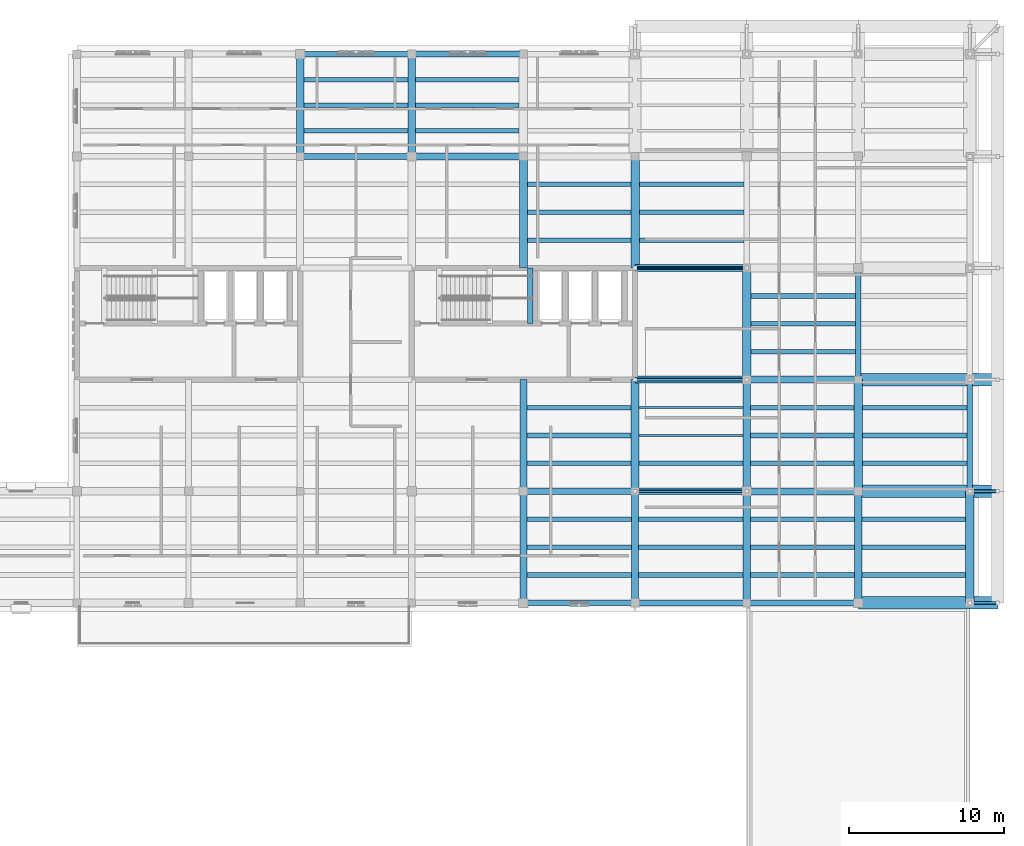
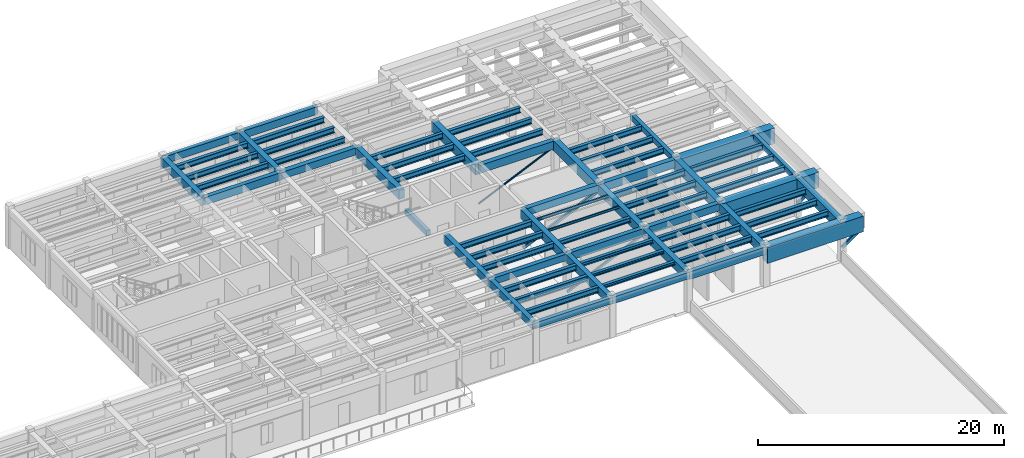
# One storey, part 3 of 22: 72 beams, 5 members.
"""IFC4 building model written with IfcOpenShell, lengths in metres."""

from ifc_helpers import new_model, si_unit, direction, frame, origin, origin_2d, place, context, subcontext, project, spatial, rectangle, hollow_rectangle, hollow_circle, i_section, extrude, material, material_profile, profile_set, type_object, element, save


model = new_model("IFC4")

# Units and contexts
model_context = context("Model", 3, precision=1e-05, world=origin(), true_north=direction((0.0, 1.0)))
body_context = subcontext(model_context, "Body", "Model", "MODEL_VIEW")
ifc_project = project(units=[si_unit("LENGTHUNIT", "METRE"), si_unit("AREAUNIT", "SQUARE_METRE"), si_unit("VOLUMEUNIT", "CUBIC_METRE"), si_unit("PLANEANGLEUNIT", "RADIAN"), si_unit("MASSUNIT", "GRAM", prefix="KILO")], contexts=[model_context])

# Site, building, storey
site_placement = place(None, origin())
site = spatial("IfcSite", under=ifc_project, at=site_placement, CompositionType="ELEMENT")
building_placement = place(site_placement, origin())
building = spatial("IfcBuilding", under=site, at=building_placement, Name="Mithqara Police Headquarters", CompositionType="ELEMENT")
storey_placement = place(building_placement, frame((0.0, 0.0, 22.199951171875)))
storey = spatial("IfcBuildingStorey", under=building, at=storey_placement, Name="L05", CompositionType="ELEMENT", Elevation=22.199951171875)

# Beams
ifc_material_1 = material(Name="Steel S355JR", Category="steel")
ifc_material_profile_1 = material_profile(ifc_material_1, i_section(OverallWidth=0.300048828125, OverallDepth=0.300048828125, WebThickness=0.010986328125, FlangeThickness=0.01904296875, FilletRadius=0.027099609375, at=origin_2d()), Name="HEB 300")
ifc_profile_set_1 = profile_set([ifc_material_profile_1], Name="Steel S355JR")
beam_type_1 = type_object("IfcBeamType", Name="BEAM HEB300", PredefinedType="BEAM", material=ifc_profile_set_1)
beam_1_placement = place(storey_placement, frame((144.824951171875, 82.199951171875, 3.77001953125), z_axis=(1.0, 0.0, 0.0), x_axis=(0.0, 1.0, 0.0)))
element("IfcBeam", 1, at=beam_1_placement, inside=storey, type_object=beam_type_1, Name="L05 Composite Steel Joist 21-22/M.2", PredefinedType="BEAM", context=body_context, shape_type="SweptSolid", body=[
    extrude(i_section(OverallWidth=0.300048828125, OverallDepth=0.300048828125, WebThickness=0.010986328125, FlangeThickness=0.01904296875, FilletRadius=0.027099609375, at=origin_2d()), origin(), (0.0, 0.0, 1.0), 6.72509765625),
])
ifc_material_profile_2 = material_profile(ifc_material_1, i_section(OverallWidth=0.300048828125, OverallDepth=0.360107421875, WebThickness=0.012451171875, FlangeThickness=0.0224609375, FilletRadius=0.027099609375, at=origin_2d()), Name="HEB 360")
ifc_profile_set_2 = profile_set([ifc_material_profile_2], Name="Steel S355JR")
beam_type_2 = type_object("IfcBeamType", Name="BEAM HEB360", PredefinedType="BEAM", material=ifc_profile_set_2)
beam_2_placement = place(storey_placement, frame((144.824951171875, 84.0, 3.739990234375), z_axis=(1.0, 0.0, 0.0), x_axis=(0.0, 1.0, 0.0)))
element("IfcBeam", 2, at=beam_2_placement, inside=storey, type_object=beam_type_2, Name="L05 Composite Steel Joist 21-22/M.3", PredefinedType="BEAM", context=body_context, shape_type="SweptSolid", body=[
    extrude(i_section(OverallWidth=0.300048828125, OverallDepth=0.360107421875, WebThickness=0.012451171875, FlangeThickness=0.0224609375, FilletRadius=0.027099609375, at=origin_2d()), origin(), (0.0, 0.0, 1.0), 6.72509765625),
])
ifc_material_profile_3 = material_profile(ifc_material_1, i_section(OverallWidth=0.300048828125, OverallDepth=0.449951171875, WebThickness=0.013916015625, FlangeThickness=0.02587890625, FilletRadius=0.027099609375, at=origin_2d()), Name="HEB 450")
ifc_profile_set_3 = profile_set([ifc_material_profile_3], Name="Steel S355JR")
beam_type_3 = type_object("IfcBeamType", Name="BEAM HEB450", PredefinedType="BEAM", material=ifc_profile_set_3)
beam_3_placement = place(storey_placement, frame((144.85009765625, 87.60009765625, 3.695068359375), z_axis=(1.0, 0.0, 0.0), x_axis=(0.0, 1.0, 0.0)))
element("IfcBeam", 3, at=beam_3_placement, inside=storey, type_object=beam_type_3, Name="L05 Composite Steel Joist 21-22/N.1", PredefinedType="BEAM", context=body_context, shape_type="SweptSolid", body=[
    extrude(i_section(OverallWidth=0.300048828125, OverallDepth=0.449951171875, WebThickness=0.013916015625, FlangeThickness=0.02587890625, FilletRadius=0.027099609375, at=origin_2d()), origin(), (0.0, 0.0, 1.0), 6.699951171875),
])
ifc_material_profile_4 = material_profile(ifc_material_1, i_section(OverallWidth=0.300048828125, OverallDepth=0.550048828125, WebThickness=0.014892578125, FlangeThickness=0.029052734375, FilletRadius=0.027099609375, at=origin_2d()), Name="HEB 550")
ifc_profile_set_4 = profile_set([ifc_material_profile_4], Name="Steel S355JR")
beam_type_4 = type_object("IfcBeamType", Name="BEAM HEB550", PredefinedType="BEAM", material=ifc_profile_set_4)
for number, where, z_axis, x_axis, name in (
    (4, (123.25, 109.050048828125, 3.64501953125), (1.0, 0.0, 0.0), (0.0, 1.0, 0.0), "L05 Composite Steel Joist 18-19/R.1"),
    (5, (123.25, 110.699951171875, 3.64501953125), (1.0, 0.0, 0.0), (0.0, 1.0, 0.0), "L05 Composite Steel Joist 18-19/R.2"),
    (6, (123.25, 112.35009765625, 3.64501953125), (1.0, 0.0, 0.0), (0.0, 1.0, 0.0), "L05 Composite Steel Joist 18-19/R.3"),
):
    element("IfcBeam", number, at=place(storey_placement, frame(where, z_axis=z_axis, x_axis=x_axis)), inside=storey, type_object=beam_type_4, Name=name, PredefinedType="BEAM", context=body_context, shape_type="SweptSolid", body=[
        extrude(i_section(OverallWidth=0.300048828125, OverallDepth=0.550048828125, WebThickness=0.014892578125, FlangeThickness=0.029052734375, FilletRadius=0.027099609375, at=origin_2d()), origin(), (0.0, 0.0, 1.0), 6.699951171875),
    ])
for number, where, z_axis, x_axis, name in (
    (7, (130.449951171875, 109.050048828125, 3.64501953125), (1.0, 0.0, 0.0), (0.0, 1.0, 0.0), "L05 Composite Steel Joist 19-20/R.1"),
    (8, (130.449951171875, 110.699951171875, 3.64501953125), (1.0, 0.0, 0.0), (0.0, 1.0, 0.0), "L05 Composite Steel Joist 19-20/R.2"),
    (9, (130.449951171875, 112.35009765625, 3.64501953125), (1.0, 0.0, 0.0), (0.0, 1.0, 0.0), "L05 Composite Steel Joist 19-20/R.3"),
):
    element("IfcBeam", number, at=place(storey_placement, frame(where, z_axis=z_axis, x_axis=x_axis)), inside=storey, type_object=beam_type_4, Name=name, PredefinedType="BEAM", context=body_context, shape_type="SweptSolid", body=[
        extrude(i_section(OverallWidth=0.300048828125, OverallDepth=0.550048828125, WebThickness=0.014892578125, FlangeThickness=0.029052734375, FilletRadius=0.027099609375, at=origin_2d()), origin(), (0.0, 0.0, 1.0), 6.675048828125),
    ])
for number, where, z_axis, x_axis, name in (
    (10, (137.625, 80.39990234375, 3.64501953125), (1.0, 0.0, 0.0), (0.0, 1.0, 0.0), "L05 Composite Steel Joist 20-21/M.1"),
    (11, (137.625, 82.199951171875, 3.64501953125), (1.0, 0.0, 0.0), (0.0, 1.0, 0.0), "L05 Composite Steel Joist 20-21/M.2"),
    (12, (137.625, 84.0, 3.64501953125), (1.0, 0.0, 0.0), (0.0, 1.0, 0.0), "L05 Composite Steel Joist 20-21/M.3"),
):
    element("IfcBeam", number, at=place(storey_placement, frame(where, z_axis=z_axis, x_axis=x_axis)), inside=storey, type_object=beam_type_4, Name=name, PredefinedType="BEAM", context=body_context, shape_type="SweptSolid", body=[
        extrude(i_section(OverallWidth=0.300048828125, OverallDepth=0.550048828125, WebThickness=0.014892578125, FlangeThickness=0.029052734375, FilletRadius=0.027099609375, at=origin_2d()), origin(), (0.0, 0.0, 1.0), 6.75),
    ])
for number, where, z_axis, x_axis, name in (
    (13, (137.625, 87.60009765625, 3.64501953125), (1.0, 0.0, 0.0), (0.0, 1.0, 0.0), "L05 Composite Steel Joist 20-21/N.1"),
    (14, (137.625, 89.39990234375, 3.64501953125), (1.0, 0.0, 0.0), (0.0, 1.0, 0.0), "L05 Composite Steel Joist 20-21/N.2"),
    (15, (137.625, 91.199951171875, 3.64501953125), (1.0, 0.0, 0.0), (0.0, 1.0, 0.0), "L05 Composite Steel Joist 20-21/N.3"),
):
    element("IfcBeam", number, at=place(storey_placement, frame(where, z_axis=z_axis, x_axis=x_axis)), inside=storey, type_object=beam_type_4, Name=name, PredefinedType="BEAM", context=body_context, shape_type="SweptSolid", body=[
        extrude(i_section(OverallWidth=0.300048828125, OverallDepth=0.550048828125, WebThickness=0.014892578125, FlangeThickness=0.029052734375, FilletRadius=0.027099609375, at=origin_2d()), origin(), (0.0, 0.0, 1.0), 6.72509765625),
    ])
for number, where, z_axis, x_axis, name in (
    (16, (137.64990234375, 102.0, 3.64501953125), (1.0, 0.0, 0.0), (0.0, 1.0, 0.0), "L05 Composite Steel Joist 20-21/Q.1"),
    (17, (137.64990234375, 103.800048828125, 3.64501953125), (1.0, 0.0, 0.0), (0.0, 1.0, 0.0), "L05 Composite Steel Joist 20-21/Q.2"),
    (18, (137.64990234375, 105.60009765625, 3.64501953125), (1.0, 0.0, 0.0), (0.0, 1.0, 0.0), "L05 Composite Steel Joist 20-21/Q.3"),
):
    element("IfcBeam", number, at=place(storey_placement, frame(where, z_axis=z_axis, x_axis=x_axis)), inside=storey, type_object=beam_type_4, Name=name, PredefinedType="BEAM", context=body_context, shape_type="SweptSolid", body=[
        extrude(i_section(OverallWidth=0.300048828125, OverallDepth=0.550048828125, WebThickness=0.014892578125, FlangeThickness=0.029052734375, FilletRadius=0.027099609375, at=origin_2d()), origin(), (0.0, 0.0, 1.0), 6.675048828125),
    ])
for number, where, z_axis, x_axis, name in (
    (19, (144.875, 102.0, 3.64501953125), (1.0, 0.0, 0.0), (0.0, 1.0, 0.0), "L05 Composite Steel Joist 21-22/Q.1"),
    (20, (144.875, 103.800048828125, 3.64501953125), (1.0, 0.0, 0.0), (0.0, 1.0, 0.0), "L05 Composite Steel Joist 21-22/Q.2"),
    (21, (144.875, 105.60009765625, 3.64501953125), (1.0, 0.0, 0.0), (0.0, 1.0, 0.0), "L05 Composite Steel Joist 21-22/Q.3"),
):
    element("IfcBeam", number, at=place(storey_placement, frame(where, z_axis=z_axis, x_axis=x_axis)), inside=storey, type_object=beam_type_4, Name=name, PredefinedType="BEAM", context=body_context, shape_type="SweptSolid", body=[
        extrude(i_section(OverallWidth=0.300048828125, OverallDepth=0.550048828125, WebThickness=0.014892578125, FlangeThickness=0.029052734375, FilletRadius=0.027099609375, at=origin_2d()), origin(), (0.0, 0.0, 1.0), 6.75),
    ])
for number, where, z_axis, x_axis, name in (
    (22, (152.050048828125, 80.39990234375, 3.64501953125), (1.0, 0.0, 0.0), (0.0, 1.0, 0.0), "L05 Composite Steel Joist 22-23/M.1"),
    (23, (152.050048828125, 82.199951171875, 3.64501953125), (1.0, 0.0, 0.0), (0.0, 1.0, 0.0), "L05 Composite Steel Joist 22-23/M.2"),
    (24, (152.050048828125, 84.0, 3.64501953125), (1.0, 0.0, 0.0), (0.0, 1.0, 0.0), "L05 Composite Steel Joist 22-23/M.3"),
):
    element("IfcBeam", number, at=place(storey_placement, frame(where, z_axis=z_axis, x_axis=x_axis)), inside=storey, type_object=beam_type_4, Name=name, PredefinedType="BEAM", context=body_context, shape_type="SweptSolid", body=[
        extrude(i_section(OverallWidth=0.300048828125, OverallDepth=0.550048828125, WebThickness=0.014892578125, FlangeThickness=0.029052734375, FilletRadius=0.027099609375, at=origin_2d()), origin(), (0.0, 0.0, 1.0), 6.699951171875),
    ])
for number, where, z_axis, x_axis, name in (
    (25, (152.050048828125, 87.60009765625, 3.64501953125), (1.0, 0.0, 0.0), (0.0, 1.0, 0.0), "L05 Composite Steel Joist 22-23/N.1"),
    (26, (152.050048828125, 89.39990234375, 3.64501953125), (1.0, 0.0, 0.0), (0.0, 1.0, 0.0), "L05 Composite Steel Joist 22-23/N.2"),
    (27, (152.050048828125, 91.199951171875, 3.64501953125), (1.0, 0.0, 0.0), (0.0, 1.0, 0.0), "L05 Composite Steel Joist 22-23/N.3"),
):
    element("IfcBeam", number, at=place(storey_placement, frame(where, z_axis=z_axis, x_axis=x_axis)), inside=storey, type_object=beam_type_4, Name=name, PredefinedType="BEAM", context=body_context, shape_type="SweptSolid", body=[
        extrude(i_section(OverallWidth=0.300048828125, OverallDepth=0.550048828125, WebThickness=0.014892578125, FlangeThickness=0.029052734375, FilletRadius=0.027099609375, at=origin_2d()), origin(), (0.0, 0.0, 1.0), 6.675048828125),
    ])
for number, where, z_axis, x_axis, name in (
    (28, (152.074951171875, 94.800048828125, 3.64501953125), (1.0, 0.0, 0.0), (0.0, 1.0, 0.0), "L05 Composite Steel Joist 22-23/P.1"),
    (29, (152.074951171875, 96.60009765625, 3.64501953125), (1.0, 0.0, 0.0), (0.0, 1.0, 0.0), "L05 Composite Steel Joist 22-23/P.2"),
    (30, (152.074951171875, 98.39990234375, 3.64501953125), (1.0, 0.0, 0.0), (0.0, 1.0, 0.0), "L05 Composite Steel Joist 22-23/P.3"),
):
    element("IfcBeam", number, at=place(storey_placement, frame(where, z_axis=z_axis, x_axis=x_axis)), inside=storey, type_object=beam_type_4, Name=name, PredefinedType="BEAM", context=body_context, shape_type="SweptSolid", body=[
        extrude(i_section(OverallWidth=0.300048828125, OverallDepth=0.550048828125, WebThickness=0.014892578125, FlangeThickness=0.029052734375, FilletRadius=0.027099609375, at=origin_2d()), origin(), (0.0, 0.0, 1.0), 6.75),
    ])
for number, where, z_axis, x_axis, name in (
    (31, (159.25, 80.39990234375, 3.64501953125), (1.0, 0.0, 0.0), (0.0, 1.0, 0.0), "L05 Composite Steel Joist 23-24/M.1"),
    (32, (159.25, 82.199951171875, 3.64501953125), (1.0, 0.0, 0.0), (0.0, 1.0, 0.0), "L05 Composite Steel Joist 23-24/M.2"),
    (33, (159.25, 84.0, 3.64501953125), (1.0, 0.0, 0.0), (0.0, 1.0, 0.0), "L05 Composite Steel Joist 23-24/M.3"),
):
    element("IfcBeam", number, at=place(storey_placement, frame(where, z_axis=z_axis, x_axis=x_axis)), inside=storey, type_object=beam_type_4, Name=name, PredefinedType="BEAM", context=body_context, shape_type="SweptSolid", body=[
        extrude(i_section(OverallWidth=0.300048828125, OverallDepth=0.550048828125, WebThickness=0.014892578125, FlangeThickness=0.029052734375, FilletRadius=0.027099609375, at=origin_2d()), origin(), (0.0, 0.0, 1.0), 6.675048828125),
    ])
for number, where, z_axis, x_axis, name in (
    (34, (159.27490234375, 87.60009765625, 3.64501953125), (1.0, 0.0, 0.0), (0.0, 1.0, 0.0), "L05 Composite Steel Joist 23-24/N.1"),
    (35, (159.27490234375, 89.39990234375, 3.64501953125), (1.0, 0.0, 0.0), (0.0, 1.0, 0.0), "L05 Composite Steel Joist 23-24/N.2"),
    (36, (159.27490234375, 91.199951171875, 3.64501953125), (1.0, 0.0, 0.0), (0.0, 1.0, 0.0), "L05 Composite Steel Joist 23-24/N.3"),
):
    element("IfcBeam", number, at=place(storey_placement, frame(where, z_axis=z_axis, x_axis=x_axis)), inside=storey, type_object=beam_type_4, Name=name, PredefinedType="BEAM", context=body_context, shape_type="SweptSolid", body=[
        extrude(i_section(OverallWidth=0.300048828125, OverallDepth=0.550048828125, WebThickness=0.014892578125, FlangeThickness=0.029052734375, FilletRadius=0.027099609375, at=origin_2d()), origin(), (0.0, 0.0, 1.0), 6.75),
    ])
ifc_material_2 = material(Name="Concrete C40/50", Category="concrete")
ifc_material_profile_5 = material_profile(ifc_material_2, rectangle(XDim=0.35009765625, YDim=0.550048828125, at=origin_2d()), Name="RC 350x550")
ifc_profile_set_5 = profile_set([ifc_material_profile_5], Name="Concrete C40/50")
beam_type_5 = type_object("IfcBeamType", Name="BEAM RC350X550", PredefinedType="BEAM", material=ifc_profile_set_5)
for number, where, z_axis, x_axis, name in (
    (37, (159.0, 93.0, 3.64501953125), (0.0, 1.0, 0.0), (-1.0, 0.0, 0.0), "L05 Girder 23/P-Q"),
    (38, (166.199951171875, 85.800048828125, 3.64501953125), (0.0, 1.0, 0.0), (-1.0, 0.0, 0.0), "L05 Girder 24/N-P"),
):
    element("IfcBeam", number, at=place(storey_placement, frame(where, z_axis=z_axis, x_axis=x_axis)), inside=storey, type_object=beam_type_5, Name=name, PredefinedType="BEAM", context=body_context, shape_type="SweptSolid", body=[
        extrude(rectangle(XDim=0.35009765625, YDim=0.550048828125, at=origin_2d()), origin(), (0.0, 0.0, 1.0), 7.199951171875),
    ])
beam_4_placement = place(storey_placement, frame((137.85009765625, 96.6201171875, 1.635009765625), z_axis=(0.0, 1.0, 0.0), x_axis=(-1.0, 0.0, 0.0)))
element("IfcBeam", 39, at=beam_4_placement, inside=storey, type_object=beam_type_5, Name="L05 ST-02 Half-Landing Bearer LB", PredefinedType="BEAM", context=body_context, shape_type="SweptSolid", body=[
    extrude(rectangle(XDim=0.35009765625, YDim=0.550048828125, at=origin_2d()), origin(), (0.0, 0.0, 1.0), 3.579833984375),
])
ifc_material_profile_6 = material_profile(ifc_material_2, rectangle(XDim=0.35009765625, YDim=0.60009765625, at=origin_2d()), Name="RC 350x600")
ifc_profile_set_6 = profile_set([ifc_material_profile_6], Name="Concrete C40/50")
beam_type_6 = type_object("IfcBeamType", Name="BEAM RC350X600", PredefinedType="BEAM", material=ifc_profile_set_6)
beam_5_placement = place(storey_placement, frame((137.39990234375, 78.60009765625, 3.6201171875), z_axis=(1.0, 0.0, 0.0), x_axis=(0.0, 1.0, 0.0)))
element("IfcBeam", 40, at=beam_5_placement, inside=storey, type_object=beam_type_6, Name="L05 Girder 20-21/M", PredefinedType="BEAM", context=body_context, shape_type="SweptSolid", body=[
    extrude(rectangle(XDim=0.35009765625, YDim=0.60009765625, at=origin_2d()), origin(), (0.0, 0.0, 1.0), 7.2001953125),
])
ifc_material_profile_7 = material_profile(ifc_material_2, rectangle(XDim=0.39990234375, YDim=0.64990234375, at=origin_2d()), Name="RC 400x650")
ifc_profile_set_7 = profile_set([ifc_material_profile_7], Name="Concrete C40/50")
beam_type_7 = type_object("IfcBeamType", Name="BEAM RC400X650", PredefinedType="BEAM", material=ifc_profile_set_7)
beam_6_placement = place(storey_placement, frame((137.39990234375, 85.800048828125, 3.594970703125), z_axis=(1.0, 0.0, 0.0), x_axis=(0.0, 1.0, 0.0)))
element("IfcBeam", 41, at=beam_6_placement, inside=storey, type_object=beam_type_7, Name="L05 Girder 20-21/N", PredefinedType="BEAM", context=body_context, shape_type="SweptSolid", body=[
    extrude(rectangle(XDim=0.39990234375, YDim=0.64990234375, at=origin_2d()), origin(), (0.0, 0.0, 1.0), 7.2001953125),
])
beam_7_placement = place(storey_placement, frame((144.60009765625, 78.60009765625, 3.594970703125), z_axis=(1.0, 0.0, 0.0), x_axis=(0.0, 1.0, 0.0)))
element("IfcBeam", 42, at=beam_7_placement, inside=storey, type_object=beam_type_7, Name="L05 Girder 21-22/M", PredefinedType="BEAM", context=body_context, shape_type="SweptSolid", body=[
    extrude(rectangle(XDim=0.39990234375, YDim=0.64990234375, at=origin_2d()), origin(), (0.0, 0.0, 1.0), 7.199951171875),
])
ifc_material_profile_8 = material_profile(ifc_material_2, rectangle(XDim=0.39990234375, YDim=0.75, at=origin_2d()), Name="RC 400x750")
ifc_profile_set_8 = profile_set([ifc_material_profile_8], Name="Concrete C40/50")
beam_type_8 = type_object("IfcBeamType", Name="BEAM RC400X750", PredefinedType="BEAM", material=ifc_profile_set_8)
for number, where, z_axis, x_axis, name in (
    (43, (123.0, 107.39990234375, 3.545166015625), (1.0, 0.0, 0.0), (0.0, 1.0, 0.0), "L05 Girder 18-19/R"),
    (44, (144.60009765625, 85.800048828125, 3.545166015625), (1.0, 0.0, 0.0), (0.0, 1.0, 0.0), "L05 Girder 21-22/N"),
    (45, (151.800048828125, 78.60009765625, 3.545166015625), (1.0, 0.0, 0.0), (0.0, 1.0, 0.0), "L05 Girder 22-23/M"),
):
    element("IfcBeam", number, at=place(storey_placement, frame(where, z_axis=z_axis, x_axis=x_axis)), inside=storey, type_object=beam_type_8, Name=name, PredefinedType="BEAM", context=body_context, shape_type="SweptSolid", body=[
        extrude(rectangle(XDim=0.39990234375, YDim=0.75, at=origin_2d()), origin(), (0.0, 0.0, 1.0), 7.199951171875),
    ])
ifc_material_profile_9 = material_profile(ifc_material_2, rectangle(XDim=0.449951171875, YDim=0.699951171875, at=origin_2d()), Name="RC 450x700")
ifc_profile_set_9 = profile_set([ifc_material_profile_9], Name="Concrete C40/50")
beam_type_9 = type_object("IfcBeamType", Name="BEAM RC450X700", PredefinedType="BEAM", material=ifc_profile_set_9)
for number, where, z_axis, x_axis, name in (
    (46, (130.199951171875, 107.39990234375, 3.570068359375), (1.0, 0.0, 0.0), (0.0, 1.0, 0.0), "L05 Girder 19-20/R"),
    (47, (137.39990234375, 78.60009765625, 3.570068359375), (0.0, 1.0, 0.0), (-1.0, 0.0, 0.0), "L05 Girder 20/M-N"),
    (48, (144.60009765625, 93.0, 3.570068359375), (1.0, 0.0, 0.0), (0.0, 1.0, 0.0), "L05 Girder 21-22/P"),
    (49, (151.800048828125, 85.800048828125, 3.570068359375), (1.0, 0.0, 0.0), (0.0, 1.0, 0.0), "L05 Girder 22-23/N"),
):
    element("IfcBeam", number, at=place(storey_placement, frame(where, z_axis=z_axis, x_axis=x_axis)), inside=storey, type_object=beam_type_9, Name=name, PredefinedType="BEAM", context=body_context, shape_type="SweptSolid", body=[
        extrude(rectangle(XDim=0.449951171875, YDim=0.699951171875, at=origin_2d()), origin(), (0.0, 0.0, 1.0), 7.199951171875),
    ])
ifc_material_profile_10 = material_profile(ifc_material_2, rectangle(XDim=0.449951171875, YDim=0.800048828125, at=origin_2d()), Name="RC 450x800")
ifc_profile_set_10 = profile_set([ifc_material_profile_10], Name="Concrete C40/50")
beam_type_10 = type_object("IfcBeamType", Name="BEAM RC450X800", PredefinedType="BEAM", material=ifc_profile_set_10)
for number, where, z_axis, x_axis, name in (
    (50, (137.39990234375, 85.800048828125, 3.52001953125), (0.0, 1.0, 0.0), (-1.0, 0.0, 0.0), "L05 Girder 20/N-P"),
    (51, (144.60009765625, 78.60009765625, 3.52001953125), (0.0, 1.0, 0.0), (-1.0, 0.0, 0.0), "L05 Girder 21/M-N"),
    (52, (144.60009765625, 100.199951171875, 3.52001953125), (1.0, 0.0, 0.0), (0.0, 1.0, 0.0), "L05 Girder 21-22/Q"),
    (53, (151.800048828125, 93.0, 3.52001953125), (1.0, 0.0, 0.0), (0.0, 1.0, 0.0), "L05 Girder 22-23/P"),
):
    element("IfcBeam", number, at=place(storey_placement, frame(where, z_axis=z_axis, x_axis=x_axis)), inside=storey, type_object=beam_type_10, Name=name, PredefinedType="BEAM", context=body_context, shape_type="SweptSolid", body=[
        extrude(rectangle(XDim=0.449951171875, YDim=0.800048828125, at=origin_2d()), origin(), (0.0, 0.0, 1.0), 7.199951171875),
    ])
ifc_material_profile_11 = material_profile(ifc_material_2, rectangle(XDim=0.5, YDim=0.85009765625, at=origin_2d()), Name="RC 500x850")
ifc_profile_set_11 = profile_set([ifc_material_profile_11], Name="Concrete C40/50")
beam_type_11 = type_object("IfcBeamType", Name="BEAM RC500X850", PredefinedType="BEAM", material=ifc_profile_set_11)
beam_8_placement = place(storey_placement, frame((123.0, 107.39990234375, 3.4951171875), z_axis=(0.0, 1.0, 0.0), x_axis=(-1.0, 0.0, 0.0)))
element("IfcBeam", 54, at=beam_8_placement, inside=storey, type_object=beam_type_11, Name="L05 Girder 18/R-S", PredefinedType="BEAM", context=body_context, shape_type="SweptSolid", body=[
    extrude(rectangle(XDim=0.5, YDim=0.85009765625, at=origin_2d()), origin(), (0.0, 0.0, 1.0), 6.60009765625),
])
for number, where, z_axis, x_axis, name in (
    (55, (144.60009765625, 85.800048828125, 3.4951171875), (0.0, 1.0, 0.0), (-1.0, 0.0, 0.0), "L05 Girder 21/N-P"),
    (56, (151.800048828125, 78.60009765625, 3.4951171875), (0.0, 1.0, 0.0), (-1.0, 0.0, 0.0), "L05 Girder 22/M-N"),
):
    element("IfcBeam", number, at=place(storey_placement, frame(where, z_axis=z_axis, x_axis=x_axis)), inside=storey, type_object=beam_type_11, Name=name, PredefinedType="BEAM", context=body_context, shape_type="SweptSolid", body=[
        extrude(rectangle(XDim=0.5, YDim=0.85009765625, at=origin_2d()), origin(), (0.0, 0.0, 1.0), 7.199951171875),
    ])
ifc_material_3 = material(Name="Concrete C50/60", Category="concrete")
ifc_material_profile_12 = material_profile(ifc_material_3, rectangle(XDim=0.5, YDim=0.89990234375, at=origin_2d()), Name="RC 500x900")
ifc_profile_set_12 = profile_set([ifc_material_profile_12], Name="Concrete C50/60")
beam_type_12 = type_object("IfcBeamType", Name="BEAM RC500X900", PredefinedType="BEAM", material=ifc_profile_set_12)
beam_9_placement = place(storey_placement, frame((130.199951171875, 107.39990234375, 3.469970703125), z_axis=(0.0, 1.0, 0.0), x_axis=(-1.0, 0.0, 0.0)))
element("IfcBeam", 57, at=beam_9_placement, inside=storey, type_object=beam_type_12, Name="L05 Girder 19/R-S", PredefinedType="BEAM", context=body_context, shape_type="SweptSolid", body=[
    extrude(rectangle(XDim=0.5, YDim=0.89990234375, at=origin_2d()), origin(), (0.0, 0.0, 1.0), 6.60009765625),
])
for number, where, z_axis, x_axis, name in (
    (58, (137.39990234375, 100.199951171875, 3.469970703125), (0.0, 1.0, 0.0), (-1.0, 0.0, 0.0), "L05 Girder 20/Q-R"),
    (59, (151.800048828125, 85.800048828125, 3.469970703125), (0.0, 1.0, 0.0), (-1.0, 0.0, 0.0), "L05 Girder 22/N-P"),
    (60, (159.0, 78.60009765625, 3.469970703125), (0.0, 1.0, 0.0), (-1.0, 0.0, 0.0), "L05 Girder 23/M-N"),
):
    element("IfcBeam", number, at=place(storey_placement, frame(where, z_axis=z_axis, x_axis=x_axis)), inside=storey, type_object=beam_type_12, Name=name, PredefinedType="BEAM", context=body_context, shape_type="SweptSolid", body=[
        extrude(rectangle(XDim=0.5, YDim=0.89990234375, at=origin_2d()), origin(), (0.0, 0.0, 1.0), 7.199951171875),
    ])
ifc_material_profile_13 = material_profile(ifc_material_3, rectangle(XDim=0.550048828125, YDim=1.0, at=origin_2d()), Name="RC 550x1000")
ifc_profile_set_13 = profile_set([ifc_material_profile_13], Name="Concrete C50/60")
beam_type_13 = type_object("IfcBeamType", Name="BEAM RC550X1000", PredefinedType="BEAM", material=ifc_profile_set_13)
for number, where, z_axis, x_axis, name in (
    (61, (144.60009765625, 100.199951171875, 3.420166015625), (0.0, 1.0, 0.0), (-1.0, 0.0, 0.0), "L05 Girder 21/Q-R"),
    (62, (151.800048828125, 93.0, 3.420166015625), (0.0, 1.0, 0.0), (-1.0, 0.0, 0.0), "L05 Girder 22/P-Q"),
    (63, (159.0, 85.800048828125, 3.420166015625), (0.0, 1.0, 0.0), (-1.0, 0.0, 0.0), "L05 Girder 23/N-P"),
    (64, (166.199951171875, 78.60009765625, 3.420166015625), (0.0, 1.0, 0.0), (-1.0, 0.0, 0.0), "L05 Girder 24/M-N"),
):
    element("IfcBeam", number, at=place(storey_placement, frame(where, z_axis=z_axis, x_axis=x_axis)), inside=storey, type_object=beam_type_13, Name=name, PredefinedType="BEAM", context=body_context, shape_type="SweptSolid", body=[
        extrude(rectangle(XDim=0.550048828125, YDim=1.0, at=origin_2d()), origin(), (0.0, 0.0, 1.0), 7.199951171875),
    ])

# Members
ifc_material_profile_14 = material_profile(ifc_material_1, hollow_circle(Radius=0.084228515625, WallThickness=0.008056640625, at=origin_2d()), Name="CHS 168.3x8.0")
ifc_profile_set_14 = profile_set([ifc_material_profile_14], Name="Steel S355JR")
member_type_1 = type_object("IfcMemberType", Name="BRACE CHS168", PredefinedType="BRACE", material=ifc_profile_set_14)
member_1_placement = place(storey_placement, frame((144.60009765625, 100.199951171875, 0.0), z_axis=(0.911446126147, 0.0, 0.41141944428), x_axis=(0.0, 1.0, 0.0)))
element("IfcMember", 65, at=member_1_placement, inside=storey, type_object=member_type_1, Name="L05 Lateral Braced Frame Diagonal Y14", PredefinedType="BRACE", context=body_context, shape_type="SweptSolid", body=[
    extrude(hollow_circle(Radius=0.084228515625, WallThickness=0.008056640625, at=origin_2d()), origin(), (0.0, 0.0, 1.0), 7.8994140625),
])
ifc_material_profile_15 = material_profile(ifc_material_1, hollow_rectangle(XDim=0.14990234375, YDim=0.25, WallThickness=0.010009765625, InnerFilletRadius=0.010009765625, OuterFilletRadius=0.02001953125, at=origin_2d()), Name="RHS 250x150x10.0")
ifc_profile_set_15 = profile_set([ifc_material_profile_15], Name="Steel S355JR")
member_type_2 = type_object("IfcMemberType", Name="BRACE RHS250", PredefinedType="BRACE", material=ifc_profile_set_15)
member_2_placement = place(storey_placement, frame((144.60009765625, 85.800048828125, 0.0), z_axis=(0.911446126147, 0.0, 0.41141944428), x_axis=(0.0, 1.0, 0.0)))
element("IfcMember", 66, at=member_2_placement, inside=storey, type_object=member_type_2, Name="L05 Lateral Braced Frame Diagonal Y12", PredefinedType="BRACE", context=body_context, shape_type="SweptSolid", body=[
    extrude(hollow_rectangle(XDim=0.14990234375, YDim=0.25, WallThickness=0.010009765625, InnerFilletRadius=0.010009765625, OuterFilletRadius=0.02001953125, at=origin_2d()), origin(), (0.0, 0.0, 1.0), 7.8994140625),
])
ifc_material_profile_16 = material_profile(ifc_material_1, hollow_rectangle(XDim=0.199951171875, YDim=0.300048828125, WallThickness=0.012451171875, InnerFilletRadius=0.012451171875, OuterFilletRadius=0.02490234375, at=origin_2d()), Name="RHS 300x200x12.5")
ifc_profile_set_16 = profile_set([ifc_material_profile_16], Name="Steel S355JR")
member_type_3 = type_object("IfcMemberType", Name="BRACE RHS300", PredefinedType="BRACE", material=ifc_profile_set_16)
for number, where, z_axis, x_axis, name in (
    (67, (166.199951171875, 78.60009765625, 1.199951171875), (0.817096837547, 0.0, 0.576500440651), (0.0, 1.0, 0.0), "L05 Command Cube East Raking Corbel Strut Y-M"),
    (68, (166.199951171875, 85.800048828125, 1.199951171875), (0.817096837547, 0.0, 0.576500440651), (0.0, 1.0, 0.0), "L05 Command Cube East Raking Corbel Strut Y-N"),
):
    element("IfcMember", number, at=place(storey_placement, frame(where, z_axis=z_axis, x_axis=x_axis)), inside=storey, type_object=member_type_3, Name=name, PredefinedType="BRACE", context=body_context, shape_type="SweptSolid", body=[
        extrude(hollow_rectangle(XDim=0.199951171875, YDim=0.300048828125, WallThickness=0.012451171875, InnerFilletRadius=0.012451171875, OuterFilletRadius=0.02490234375, at=origin_2d()), origin(), (0.0, 0.0, 1.0), 2.202880859375),
    ])
member_3_placement = place(storey_placement, frame((144.60009765625, 93.0, 0.0), z_axis=(0.911446126147, 0.0, 0.41141944428), x_axis=(0.0, 1.0, 0.0)))
element("IfcMember", 69, at=member_3_placement, inside=storey, type_object=member_type_3, Name="L05 Lateral Braced Frame Diagonal Y13", PredefinedType="BRACE", context=body_context, shape_type="SweptSolid", body=[
    extrude(hollow_rectangle(XDim=0.199951171875, YDim=0.300048828125, WallThickness=0.012451171875, InnerFilletRadius=0.012451171875, OuterFilletRadius=0.02490234375, at=origin_2d()), origin(), (0.0, 0.0, 1.0), 7.8994140625),
])

# Beams
ifc_material_profile_17 = material_profile(ifc_material_1, i_section(OverallWidth=0.300048828125, OverallDepth=0.330078125, WebThickness=0.009521484375, FlangeThickness=0.0166015625, FilletRadius=0.027099609375, at=origin_2d()), Name="HEA 340")
ifc_profile_set_17 = profile_set([ifc_material_profile_17], Name="Steel S355JR")
beam_type_14 = type_object("IfcBeamType", Name="JOIST HEA340", PredefinedType="JOIST", material=ifc_profile_set_17)
beam_10_placement = place(storey_placement, frame((144.824951171875, 80.39990234375, 3.755126953125), z_axis=(1.0, 0.0, 0.0), x_axis=(0.0, 1.0, 0.0)))
element("IfcBeam", 70, at=beam_10_placement, inside=storey, type_object=beam_type_14, Name="L05 Composite Steel Joist 21-22/M.1", PredefinedType="JOIST", context=body_context, shape_type="SweptSolid", body=[
    extrude(i_section(OverallWidth=0.300048828125, OverallDepth=0.330078125, WebThickness=0.009521484375, FlangeThickness=0.0166015625, FilletRadius=0.027099609375, at=origin_2d()), origin(), (0.0, 0.0, 1.0), 6.72509765625),
])
ifc_material_profile_18 = material_profile(ifc_material_1, i_section(OverallWidth=0.1201171875, OverallDepth=0.239990234375, WebThickness=0.006103515625, FlangeThickness=0.009765625, FilletRadius=0.014892578125, at=origin_2d()), Name="IPE 240")
ifc_profile_set_18 = profile_set([ifc_material_profile_18], Name="Steel S355JR")
beam_type_15 = type_object("IfcBeamType", Name="JOIST IPE240", PredefinedType="JOIST", material=ifc_profile_set_18)
beam_11_placement = place(storey_placement, frame((144.85009765625, 89.39990234375, 3.800048828125), z_axis=(1.0, 0.0, 0.0), x_axis=(0.0, 1.0, 0.0)))
element("IfcBeam", 71, at=beam_11_placement, inside=storey, type_object=beam_type_15, Name="L05 Composite Steel Joist 21-22/N.2", PredefinedType="JOIST", context=body_context, shape_type="SweptSolid", body=[
    extrude(i_section(OverallWidth=0.1201171875, OverallDepth=0.239990234375, WebThickness=0.006103515625, FlangeThickness=0.009765625, FilletRadius=0.014892578125, at=origin_2d()), origin(), (0.0, 0.0, 1.0), 6.699951171875),
])
ifc_material_profile_19 = material_profile(ifc_material_1, i_section(OverallWidth=0.135009765625, OverallDepth=0.27001953125, WebThickness=0.006591796875, FlangeThickness=0.01025390625, FilletRadius=0.014892578125, at=origin_2d()), Name="IPE 270")
ifc_profile_set_19 = profile_set([ifc_material_profile_19], Name="Steel S355JR")
beam_type_16 = type_object("IfcBeamType", Name="JOIST IPE270", PredefinedType="JOIST", material=ifc_profile_set_19)
beam_12_placement = place(storey_placement, frame((144.85009765625, 91.199951171875, 3.78515625), z_axis=(1.0, 0.0, 0.0), x_axis=(0.0, 1.0, 0.0)))
element("IfcBeam", 72, at=beam_12_placement, inside=storey, type_object=beam_type_16, Name="L05 Composite Steel Joist 21-22/N.3", PredefinedType="JOIST", context=body_context, shape_type="SweptSolid", body=[
    extrude(i_section(OverallWidth=0.135009765625, OverallDepth=0.27001953125, WebThickness=0.006591796875, FlangeThickness=0.01025390625, FilletRadius=0.014892578125, at=origin_2d()), origin(), (0.0, 0.0, 1.0), 6.699951171875),
])
ifc_material_profile_20 = material_profile(ifc_material_2, rectangle(XDim=0.35009765625, YDim=0.699951171875, at=origin_2d()), Name="SPB 350x700")
ifc_profile_set_20 = profile_set([ifc_material_profile_20], Name="Concrete C40/50")
beam_type_17 = type_object("IfcBeamType", Name="SPANDREL 350X700", PredefinedType="SPANDREL", material=ifc_profile_set_20)
beam_13_placement = place(storey_placement, frame((123.0, 114.0, 3.570068359375), z_axis=(1.0, 0.0, 0.0), x_axis=(0.0, 1.0, 0.0)))
element("IfcBeam", 73, at=beam_13_placement, inside=storey, type_object=beam_type_17, Name="L05 Girder 18-19/S", PredefinedType="SPANDREL", context=body_context, shape_type="SweptSolid", body=[
    extrude(rectangle(XDim=0.35009765625, YDim=0.699951171875, at=origin_2d()), origin(), (0.0, 0.0, 1.0), 7.199951171875),
])
ifc_material_profile_21 = material_profile(ifc_material_2, rectangle(XDim=0.39990234375, YDim=0.75, at=origin_2d()), Name="SPB 400x750")
ifc_profile_set_21 = profile_set([ifc_material_profile_21], Name="Concrete C40/50")
beam_type_18 = type_object("IfcBeamType", Name="SPANDREL 400X750", PredefinedType="SPANDREL", material=ifc_profile_set_21)
beam_14_placement = place(storey_placement, frame((130.199951171875, 114.0, 3.545166015625), z_axis=(1.0, 0.0, 0.0), x_axis=(0.0, 1.0, 0.0)))
element("IfcBeam", 74, at=beam_14_placement, inside=storey, type_object=beam_type_18, Name="L05 Girder 19-20/S", PredefinedType="SPANDREL", context=body_context, shape_type="SweptSolid", body=[
    extrude(rectangle(XDim=0.39990234375, YDim=0.75, at=origin_2d()), origin(), (0.0, 0.0, 1.0), 7.199951171875),
])
ifc_material_profile_22 = material_profile(ifc_material_3, rectangle(XDim=0.800048828125, YDim=1.550048828125, at=origin_2d()), Name="RC 800x1550")
ifc_profile_set_22 = profile_set([ifc_material_profile_22], Name="Concrete C50/60")
beam_type_19 = type_object("IfcBeamType", Name="TRANSFER RC800X1550", PredefinedType="BEAM", material=ifc_profile_set_22)
for number, where, z_axis, x_axis, name in (
    (75, (159.0, 78.60009765625, 3.14501953125), (1.0, 0.0, 0.0), (0.0, 1.0, 0.0), "L05 Command Cube Cantilever Transfer Girder Y-M"),
    (76, (159.0, 85.800048828125, 3.14501953125), (1.0, 0.0, 0.0), (0.0, 1.0, 0.0), "L05 Command Cube Cantilever Transfer Girder Y-N"),
    (77, (159.0, 93.0, 3.14501953125), (1.0, 0.0, 0.0), (0.0, 1.0, 0.0), "L05 Command Cube Cantilever Transfer Girder Y-P"),
):
    element("IfcBeam", number, at=place(storey_placement, frame(where, z_axis=z_axis, x_axis=x_axis)), inside=storey, type_object=beam_type_19, Name=name, PredefinedType="BEAM", context=body_context, shape_type="SweptSolid", body=[
        extrude(rectangle(XDim=0.800048828125, YDim=1.550048828125, at=origin_2d()), origin(), (0.0, 0.0, 1.0), 9.0),
    ])

save(model, "model.ifc")
